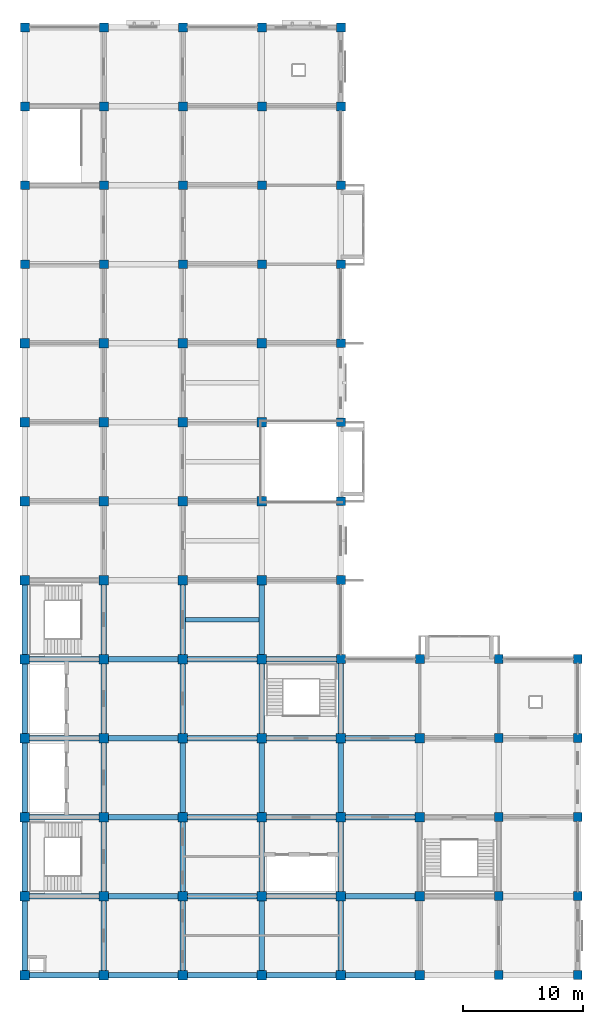
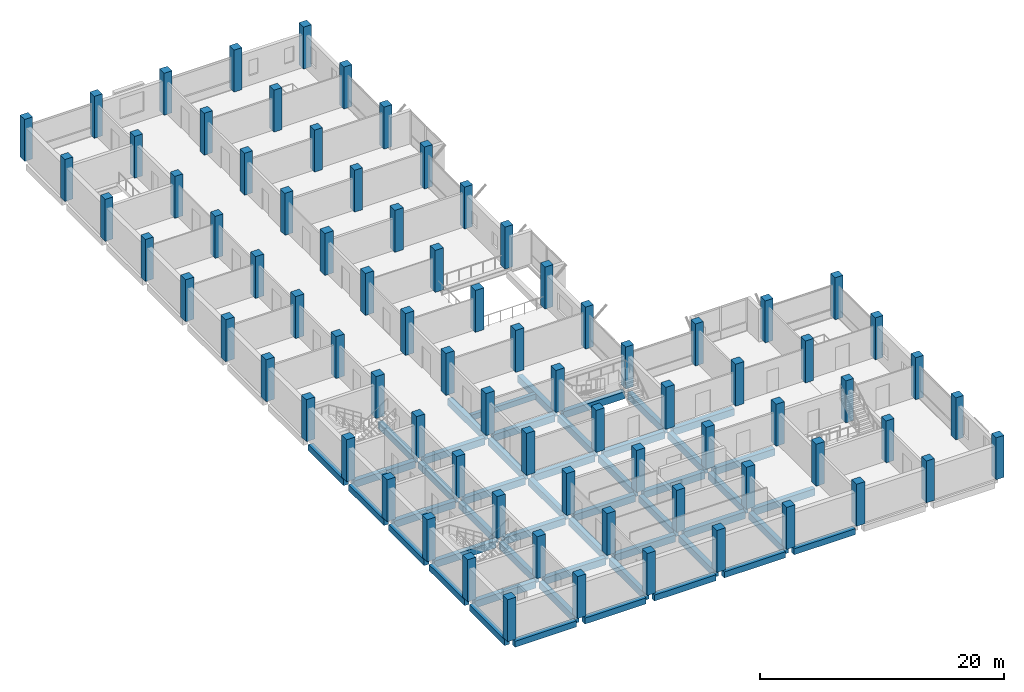
# One storey, part 1 of 14: 80 columns, 49 beams.
"""IFC4 building model written with IfcOpenShell, lengths in metres."""

from ifc_helpers import new_model, si_unit, direction, frame, origin, origin_2d, place, context, subcontext, project, spatial, rectangle, extrude, material, material_profile, profile_set, type_object, element, save


model = new_model("IFC4")

# Units and contexts
model_context = context("Model", 3, precision=1e-05, world=origin(), true_north=direction((0.0, 1.0)))
body_context = subcontext(model_context, "Body", "Model", "MODEL_VIEW")
ifc_project = project(units=[si_unit("LENGTHUNIT", "METRE"), si_unit("AREAUNIT", "SQUARE_METRE"), si_unit("VOLUMEUNIT", "CUBIC_METRE"), si_unit("PLANEANGLEUNIT", "RADIAN"), si_unit("MASSUNIT", "GRAM", prefix="KILO")], contexts=[model_context])

# Site, building, storey
site_placement = place(None, origin())
site = spatial("IfcSite", under=ifc_project, at=site_placement, CompositionType="ELEMENT")
building_placement = place(site_placement, origin())
building = spatial("IfcBuilding", under=site, at=building_placement, Name="Rusizi Kubbe Research Institute", CompositionType="ELEMENT")
storey_placement = place(building_placement, frame((0.0, 0.0, 31.199951171875)))
storey = spatial("IfcBuildingStorey", under=building, at=storey_placement, Name="L07", CompositionType="ELEMENT", Elevation=31.199951171875)

# Columns
ifc_material_1 = material(Name="Concrete C40/50", Category="concrete")
ifc_material_profile_1 = material_profile(ifc_material_1, rectangle(XDim=0.75, YDim=0.75, at=origin_2d()), Name="RC750x750")
ifc_profile_set_1 = profile_set([ifc_material_profile_1], Name="Concrete C40/50")
column_type_1 = type_object("IfcColumnType", Name="COL-750", PredefinedType="COLUMN", material=ifc_profile_set_1)
for number, where, z_axis, x_axis, name in (
    (1, (0.0, 59.39990234375, 0.0), (0.0, 0.0, 1.0), (1.0, 0.0, 0.0), "Column 1K L07"),
    (2, (0.0, 66.0, 0.0), (0.0, 0.0, 1.0), (1.0, 0.0, 0.0), "Column 1L L07"),
    (3, (0.0, 72.60009765625, 0.0), (0.0, 0.0, 1.0), (1.0, 0.0, 0.0), "Column 1M L07"),
    (4, (0.0, 79.199951171875, 0.0), (0.0, 0.0, 1.0), (1.0, 0.0, 0.0), "Column 1N L07"),
    (5, (6.60009765625, 59.39990234375, 0.0), (0.0, 0.0, 1.0), (1.0, 0.0, 0.0), "Column 2K L07"),
    (6, (6.60009765625, 66.0, 0.0), (0.0, 0.0, 1.0), (1.0, 0.0, 0.0), "Column 2L L07"),
    (7, (6.60009765625, 72.60009765625, 0.0), (0.0, 0.0, 1.0), (1.0, 0.0, 0.0), "Column 2M L07"),
    (8, (6.60009765625, 79.199951171875, 0.0), (0.0, 0.0, 1.0), (1.0, 0.0, 0.0), "Column 2N L07"),
    (9, (13.199951171875, 59.39990234375, 0.0), (0.0, 0.0, 1.0), (1.0, 0.0, 0.0), "Column 3K L07"),
    (10, (13.199951171875, 66.0, 0.0), (0.0, 0.0, 1.0), (1.0, 0.0, 0.0), "Column 3L L07"),
    (11, (13.199951171875, 72.60009765625, 0.0), (0.0, 0.0, 1.0), (1.0, 0.0, 0.0), "Column 3M L07"),
    (12, (13.199951171875, 79.199951171875, 0.0), (0.0, 0.0, 1.0), (1.0, 0.0, 0.0), "Column 3N L07"),
    (13, (19.800048828125, 59.39990234375, 0.0), (0.0, 0.0, 1.0), (1.0, 0.0, 0.0), "Column 4K L07"),
    (14, (19.800048828125, 66.0, 0.0), (0.0, 0.0, 1.0), (1.0, 0.0, 0.0), "Column 4L L07"),
    (15, (19.800048828125, 72.60009765625, 0.0), (0.0, 0.0, 1.0), (1.0, 0.0, 0.0), "Column 4M L07"),
    (16, (19.800048828125, 79.199951171875, 0.0), (0.0, 0.0, 1.0), (1.0, 0.0, 0.0), "Column 4N L07"),
    (17, (26.39990234375, 26.39990234375, 0.0), (0.0, 0.0, 1.0), (1.0, 0.0, 0.0), "Column 5E L07"),
    (18, (26.39990234375, 33.0, 0.0), (0.0, 0.0, 1.0), (1.0, 0.0, 0.0), "Column 5F L07"),
    (19, (26.39990234375, 39.60009765625, 0.0), (0.0, 0.0, 1.0), (1.0, 0.0, 0.0), "Column 5G L07"),
    (20, (26.39990234375, 46.199951171875, 0.0), (0.0, 0.0, 1.0), (1.0, 0.0, 0.0), "Column 5H L07"),
    (21, (26.39990234375, 52.800048828125, 0.0), (0.0, 0.0, 1.0), (1.0, 0.0, 0.0), "Column 5J L07"),
    (22, (26.39990234375, 59.39990234375, 0.0), (0.0, 0.0, 1.0), (1.0, 0.0, 0.0), "Column 5K L07"),
    (23, (26.39990234375, 66.0, 0.0), (0.0, 0.0, 1.0), (1.0, 0.0, 0.0), "Column 5L L07"),
    (24, (26.39990234375, 72.60009765625, 0.0), (0.0, 0.0, 1.0), (1.0, 0.0, 0.0), "Column 5M L07"),
    (25, (26.39990234375, 79.199951171875, 0.0), (0.0, 0.0, 1.0), (1.0, 0.0, 0.0), "Column 5N L07"),
    (26, (33.0, 26.39990234375, 0.0), (0.0, 0.0, 1.0), (1.0, 0.0, 0.0), "Column 6E L07"),
    (27, (39.60009765625, 0.0, 0.0), (0.0, 0.0, 1.0), (1.0, 0.0, 0.0), "Column 7A L07"),
    (28, (39.60009765625, 6.60009765625, 0.0), (0.0, 0.0, 1.0), (1.0, 0.0, 0.0), "Column 7B L07"),
    (29, (39.60009765625, 13.199951171875, 0.0), (0.0, 0.0, 1.0), (1.0, 0.0, 0.0), "Column 7C L07"),
    (30, (39.60009765625, 19.800048828125, 0.0), (0.0, 0.0, 1.0), (1.0, 0.0, 0.0), "Column 7D L07"),
    (31, (39.60009765625, 26.39990234375, 0.0), (0.0, 0.0, 1.0), (1.0, 0.0, 0.0), "Column 7E L07"),
    (32, (46.199951171875, 0.0, 0.0), (0.0, 0.0, 1.0), (1.0, 0.0, 0.0), "Column 8A L07"),
    (33, (46.199951171875, 6.60009765625, 0.0), (0.0, 0.0, 1.0), (1.0, 0.0, 0.0), "Column 8B L07"),
    (34, (46.199951171875, 13.199951171875, 0.0), (0.0, 0.0, 1.0), (1.0, 0.0, 0.0), "Column 8C L07"),
    (35, (46.199951171875, 19.800048828125, 0.0), (0.0, 0.0, 1.0), (1.0, 0.0, 0.0), "Column 8D L07"),
    (36, (46.199951171875, 26.39990234375, 0.0), (0.0, 0.0, 1.0), (1.0, 0.0, 0.0), "Column 8E L07"),
):
    element("IfcColumn", number, at=place(storey_placement, frame(where, z_axis=z_axis, x_axis=x_axis)), inside=storey, type_object=column_type_1, Name=name, PredefinedType="COLUMN", context=body_context, shape_type="SweptSolid", body=[
        extrude(rectangle(XDim=0.75, YDim=0.75, at=origin_2d()), origin(), (0.0, 0.0, 1.0), 4.199951171875),
    ])
ifc_material_2 = material(Name="Concrete C45/55", Category="concrete")
ifc_material_profile_2 = material_profile(ifc_material_2, rectangle(XDim=0.800048828125, YDim=0.800048828125, at=origin_2d()), Name="RC800x800")
ifc_profile_set_2 = profile_set([ifc_material_profile_2], Name="Concrete C45/55")
column_type_2 = type_object("IfcColumnType", Name="COL-800", PredefinedType="COLUMN", material=ifc_profile_set_2)
for number, where, z_axis, x_axis, name in (
    (37, (0.0, 0.0, 0.0), (0.0, 0.0, 1.0), (1.0, 0.0, 0.0), "Column 1A L07"),
    (38, (0.0, 6.60009765625, 0.0), (0.0, 0.0, 1.0), (1.0, 0.0, 0.0), "Column 1B L07"),
    (39, (0.0, 13.199951171875, 0.0), (0.0, 0.0, 1.0), (1.0, 0.0, 0.0), "Column 1C L07"),
    (40, (0.0, 19.800048828125, 0.0), (0.0, 0.0, 1.0), (1.0, 0.0, 0.0), "Column 1D L07"),
    (41, (0.0, 26.39990234375, 0.0), (0.0, 0.0, 1.0), (1.0, 0.0, 0.0), "Column 1E L07"),
    (42, (0.0, 33.0, 0.0), (0.0, 0.0, 1.0), (1.0, 0.0, 0.0), "Column 1F L07"),
    (43, (0.0, 39.60009765625, 0.0), (0.0, 0.0, 1.0), (1.0, 0.0, 0.0), "Column 1G L07"),
    (44, (0.0, 46.199951171875, 0.0), (0.0, 0.0, 1.0), (1.0, 0.0, 0.0), "Column 1H L07"),
    (45, (0.0, 52.800048828125, 0.0), (0.0, 0.0, 1.0), (1.0, 0.0, 0.0), "Column 1J L07"),
    (46, (6.60009765625, 0.0, 0.0), (0.0, 0.0, 1.0), (1.0, 0.0, 0.0), "Column 2A L07"),
    (47, (6.60009765625, 6.60009765625, 0.0), (0.0, 0.0, 1.0), (1.0, 0.0, 0.0), "Column 2B L07"),
    (48, (6.60009765625, 13.199951171875, 0.0), (0.0, 0.0, 1.0), (1.0, 0.0, 0.0), "Column 2C L07"),
    (49, (6.60009765625, 19.800048828125, 0.0), (0.0, 0.0, 1.0), (1.0, 0.0, 0.0), "Column 2D L07"),
    (50, (6.60009765625, 26.39990234375, 0.0), (0.0, 0.0, 1.0), (1.0, 0.0, 0.0), "Column 2E L07"),
    (51, (6.60009765625, 33.0, 0.0), (0.0, 0.0, 1.0), (1.0, 0.0, 0.0), "Column 2F L07"),
    (52, (6.60009765625, 39.60009765625, 0.0), (0.0, 0.0, 1.0), (1.0, 0.0, 0.0), "Column 2G L07"),
    (53, (6.60009765625, 46.199951171875, 0.0), (0.0, 0.0, 1.0), (1.0, 0.0, 0.0), "Column 2H L07"),
    (54, (6.60009765625, 52.800048828125, 0.0), (0.0, 0.0, 1.0), (1.0, 0.0, 0.0), "Column 2J L07"),
    (55, (13.199951171875, 0.0, 0.0), (0.0, 0.0, 1.0), (1.0, 0.0, 0.0), "Column 3A L07"),
    (56, (13.199951171875, 6.60009765625, 0.0), (0.0, 0.0, 1.0), (1.0, 0.0, 0.0), "Column 3B L07"),
    (57, (13.199951171875, 13.199951171875, 0.0), (0.0, 0.0, 1.0), (1.0, 0.0, 0.0), "Column 3C L07"),
    (58, (13.199951171875, 19.800048828125, 0.0), (0.0, 0.0, 1.0), (1.0, 0.0, 0.0), "Column 3D L07"),
    (59, (13.199951171875, 26.39990234375, 0.0), (0.0, 0.0, 1.0), (1.0, 0.0, 0.0), "Column 3E L07"),
    (60, (13.199951171875, 33.0, 0.0), (0.0, 0.0, 1.0), (1.0, 0.0, 0.0), "Column 3F L07"),
    (61, (13.199951171875, 39.60009765625, 0.0), (0.0, 0.0, 1.0), (1.0, 0.0, 0.0), "Column 3G L07"),
    (62, (13.199951171875, 46.199951171875, 0.0), (0.0, 0.0, 1.0), (1.0, 0.0, 0.0), "Column 3H L07"),
    (63, (13.199951171875, 52.800048828125, 0.0), (0.0, 0.0, 1.0), (1.0, 0.0, 0.0), "Column 3J L07"),
    (64, (19.800048828125, 0.0, 0.0), (0.0, 0.0, 1.0), (1.0, 0.0, 0.0), "Column 4A L07"),
    (65, (19.800048828125, 6.60009765625, 0.0), (0.0, 0.0, 1.0), (1.0, 0.0, 0.0), "Column 4B L07"),
    (66, (19.800048828125, 13.199951171875, 0.0), (0.0, 0.0, 1.0), (1.0, 0.0, 0.0), "Column 4C L07"),
    (67, (19.800048828125, 19.800048828125, 0.0), (0.0, 0.0, 1.0), (1.0, 0.0, 0.0), "Column 4D L07"),
    (68, (19.800048828125, 26.39990234375, 0.0), (0.0, 0.0, 1.0), (1.0, 0.0, 0.0), "Column 4E L07"),
    (69, (19.800048828125, 33.0, 0.0), (0.0, 0.0, 1.0), (1.0, 0.0, 0.0), "Column 4F L07"),
    (70, (19.800048828125, 39.60009765625, 0.0), (0.0, 0.0, 1.0), (1.0, 0.0, 0.0), "Column 4G L07"),
    (71, (19.800048828125, 46.199951171875, 0.0), (0.0, 0.0, 1.0), (1.0, 0.0, 0.0), "Column 4H L07"),
    (72, (19.800048828125, 52.800048828125, 0.0), (0.0, 0.0, 1.0), (1.0, 0.0, 0.0), "Column 4J L07"),
    (73, (26.39990234375, 0.0, 0.0), (0.0, 0.0, 1.0), (1.0, 0.0, 0.0), "Column 5A L07"),
    (74, (26.39990234375, 6.60009765625, 0.0), (0.0, 0.0, 1.0), (1.0, 0.0, 0.0), "Column 5B L07"),
    (75, (26.39990234375, 13.199951171875, 0.0), (0.0, 0.0, 1.0), (1.0, 0.0, 0.0), "Column 5C L07"),
    (76, (26.39990234375, 19.800048828125, 0.0), (0.0, 0.0, 1.0), (1.0, 0.0, 0.0), "Column 5D L07"),
    (77, (33.0, 0.0, 0.0), (0.0, 0.0, 1.0), (1.0, 0.0, 0.0), "Column 6A L07"),
    (78, (33.0, 6.60009765625, 0.0), (0.0, 0.0, 1.0), (1.0, 0.0, 0.0), "Column 6B L07"),
    (79, (33.0, 13.199951171875, 0.0), (0.0, 0.0, 1.0), (1.0, 0.0, 0.0), "Column 6C L07"),
    (80, (33.0, 19.800048828125, 0.0), (0.0, 0.0, 1.0), (1.0, 0.0, 0.0), "Column 6D L07"),
):
    element("IfcColumn", number, at=place(storey_placement, frame(where, z_axis=z_axis, x_axis=x_axis)), inside=storey, type_object=column_type_2, Name=name, PredefinedType="COLUMN", context=body_context, shape_type="SweptSolid", body=[
        extrude(rectangle(XDim=0.800048828125, YDim=0.800048828125, at=origin_2d()), origin(), (0.0, 0.0, 1.0), 4.199951171875),
    ])

# Beams
ifc_material_3 = material(Name="Concrete C40/50", Category="concrete")
ifc_material_profile_3 = material_profile(ifc_material_3, rectangle(XDim=0.35009765625, YDim=0.550048828125, at=origin_2d()), Name="RC350x550")
ifc_profile_set_3 = profile_set([ifc_material_profile_3], Name="Concrete C40/50")
beam_type_1 = type_object("IfcBeamType", Name="BM-RC350x550", PredefinedType="JOIST", material=ifc_profile_set_3)
beam_1_placement = place(storey_placement, frame((13.425048828125, 29.699951171875, -0.60498046875), z_axis=(1.0, 0.0, 0.0), x_axis=(0.0, 1.0, 0.0)))
element("IfcBeam", 81, at=beam_1_placement, inside=storey, type_object=beam_type_1, Name="Lab Stiffener Joist L07 (2,4)", PredefinedType="JOIST", context=body_context, shape_type="SweptSolid", body=[
    extrude(rectangle(XDim=0.35009765625, YDim=0.550048828125, at=origin_2d()), origin(), (0.0, 0.0, 1.0), 6.14990234375),
])
ifc_material_4 = material(Name="Concrete C40/50", Category="concrete")
ifc_material_profile_4 = material_profile(ifc_material_4, rectangle(XDim=0.449951171875, YDim=0.60009765625, at=origin_2d()), Name="RC450x600")
ifc_profile_set_4 = profile_set([ifc_material_profile_4], Name="Concrete C40/50")
beam_type_2 = type_object("IfcBeamType", Name="BM-RC450x600", PredefinedType="SPANDREL", material=ifc_profile_set_4)
for number, where, z_axis, x_axis, name in (
    (82, (0.39990234375, 0.0, -0.6298828125), (1.0, 0.0, 0.0), (0.0, 1.0, 0.0), "Grid Beam H L07 (0,0)"),
    (83, (7.0, 0.0, -0.6298828125), (1.0, 0.0, 0.0), (0.0, 1.0, 0.0), "Grid Beam H L07 (1,0)"),
):
    element("IfcBeam", number, at=place(storey_placement, frame(where, z_axis=z_axis, x_axis=x_axis)), inside=storey, type_object=beam_type_2, Name=name, PredefinedType="SPANDREL", context=body_context, shape_type="SweptSolid", body=[
        extrude(rectangle(XDim=0.449951171875, YDim=0.60009765625, at=origin_2d()), origin(), (0.0, 0.0, 1.0), 5.800048828125),
    ])
beam_2_placement = place(storey_placement, frame((13.60009765625, 0.0, -0.6298828125), z_axis=(1.0, 0.0, 0.0), x_axis=(0.0, 1.0, 0.0)))
element("IfcBeam", 84, at=beam_2_placement, inside=storey, type_object=beam_type_2, Name="Grid Beam H L07 (2,0)", PredefinedType="SPANDREL", context=body_context, shape_type="SweptSolid", body=[
    extrude(rectangle(XDim=0.449951171875, YDim=0.60009765625, at=origin_2d()), origin(), (0.0, 0.0, 1.0), 5.7998046875),
])
for number, where, z_axis, x_axis, name in (
    (85, (20.199951171875, 0.0, -0.6298828125), (1.0, 0.0, 0.0), (0.0, 1.0, 0.0), "Grid Beam H L07 (3,0)"),
    (86, (26.800048828125, 0.0, -0.6298828125), (1.0, 0.0, 0.0), (0.0, 1.0, 0.0), "Grid Beam H L07 (4,0)"),
    (87, (0.0, 0.39990234375, -0.6298828125), (0.0, 1.0, 0.0), (-1.0, 0.0, 0.0), "Grid Beam V L07 (0,0)"),
    (88, (0.0, 7.0, -0.6298828125), (0.0, 1.0, 0.0), (-1.0, 0.0, 0.0), "Grid Beam V L07 (0,1)"),
):
    element("IfcBeam", number, at=place(storey_placement, frame(where, z_axis=z_axis, x_axis=x_axis)), inside=storey, type_object=beam_type_2, Name=name, PredefinedType="SPANDREL", context=body_context, shape_type="SweptSolid", body=[
        extrude(rectangle(XDim=0.449951171875, YDim=0.60009765625, at=origin_2d()), origin(), (0.0, 0.0, 1.0), 5.800048828125),
    ])
beam_3_placement = place(storey_placement, frame((0.0, 13.60009765625, -0.6298828125), z_axis=(0.0, 1.0, 0.0), x_axis=(-1.0, 0.0, 0.0)))
element("IfcBeam", 89, at=beam_3_placement, inside=storey, type_object=beam_type_2, Name="Grid Beam V L07 (0,2)", PredefinedType="SPANDREL", context=body_context, shape_type="SweptSolid", body=[
    extrude(rectangle(XDim=0.449951171875, YDim=0.60009765625, at=origin_2d()), origin(), (0.0, 0.0, 1.0), 5.7998046875),
])
for number, where, z_axis, x_axis, name in (
    (90, (0.0, 20.199951171875, -0.6298828125), (0.0, 1.0, 0.0), (-1.0, 0.0, 0.0), "Grid Beam V L07 (0,3)"),
    (91, (0.0, 26.800048828125, -0.6298828125), (0.0, 1.0, 0.0), (-1.0, 0.0, 0.0), "Grid Beam V L07 (0,4)"),
):
    element("IfcBeam", number, at=place(storey_placement, frame(where, z_axis=z_axis, x_axis=x_axis)), inside=storey, type_object=beam_type_2, Name=name, PredefinedType="SPANDREL", context=body_context, shape_type="SweptSolid", body=[
        extrude(rectangle(XDim=0.449951171875, YDim=0.60009765625, at=origin_2d()), origin(), (0.0, 0.0, 1.0), 5.800048828125),
    ])
ifc_material_5 = material(Name="Concrete C40/50", Category="concrete")
ifc_material_profile_5 = material_profile(ifc_material_5, rectangle(XDim=0.449951171875, YDim=0.699951171875, at=origin_2d()), Name="RC450x700B")
ifc_profile_set_5 = profile_set([ifc_material_profile_5], Name="Concrete C40/50")
beam_type_3 = type_object("IfcBeamType", Name="BM-RC450x700", PredefinedType="BEAM", material=ifc_profile_set_5)
for number, where, z_axis, x_axis, name in (
    (92, (0.39990234375, 6.60009765625, -0.679931640625), (1.0, 0.0, 0.0), (0.0, 1.0, 0.0), "Grid Beam H L07 (0,1)"),
    (93, (0.39990234375, 13.199951171875, -0.679931640625), (1.0, 0.0, 0.0), (0.0, 1.0, 0.0), "Grid Beam H L07 (0,2)"),
    (94, (0.39990234375, 19.800048828125, -0.679931640625), (1.0, 0.0, 0.0), (0.0, 1.0, 0.0), "Grid Beam H L07 (0,3)"),
    (95, (0.39990234375, 26.39990234375, -0.679931640625), (1.0, 0.0, 0.0), (0.0, 1.0, 0.0), "Grid Beam H L07 (0,4)"),
    (96, (7.0, 6.60009765625, -0.679931640625), (1.0, 0.0, 0.0), (0.0, 1.0, 0.0), "Grid Beam H L07 (1,1)"),
    (97, (7.0, 13.199951171875, -0.679931640625), (1.0, 0.0, 0.0), (0.0, 1.0, 0.0), "Grid Beam H L07 (1,2)"),
    (98, (7.0, 19.800048828125, -0.679931640625), (1.0, 0.0, 0.0), (0.0, 1.0, 0.0), "Grid Beam H L07 (1,3)"),
    (99, (7.0, 26.39990234375, -0.679931640625), (1.0, 0.0, 0.0), (0.0, 1.0, 0.0), "Grid Beam H L07 (1,4)"),
):
    element("IfcBeam", number, at=place(storey_placement, frame(where, z_axis=z_axis, x_axis=x_axis)), inside=storey, type_object=beam_type_3, Name=name, PredefinedType="BEAM", context=body_context, shape_type="SweptSolid", body=[
        extrude(rectangle(XDim=0.449951171875, YDim=0.699951171875, at=origin_2d()), origin(), (0.0, 0.0, 1.0), 5.800048828125),
    ])
for number, where, z_axis, x_axis, name in (
    (100, (13.60009765625, 6.60009765625, -0.679931640625), (1.0, 0.0, 0.0), (0.0, 1.0, 0.0), "Grid Beam H L07 (2,1)"),
    (101, (13.60009765625, 13.199951171875, -0.679931640625), (1.0, 0.0, 0.0), (0.0, 1.0, 0.0), "Grid Beam H L07 (2,2)"),
    (102, (13.60009765625, 19.800048828125, -0.679931640625), (1.0, 0.0, 0.0), (0.0, 1.0, 0.0), "Grid Beam H L07 (2,3)"),
    (103, (13.60009765625, 26.39990234375, -0.679931640625), (1.0, 0.0, 0.0), (0.0, 1.0, 0.0), "Grid Beam H L07 (2,4)"),
):
    element("IfcBeam", number, at=place(storey_placement, frame(where, z_axis=z_axis, x_axis=x_axis)), inside=storey, type_object=beam_type_3, Name=name, PredefinedType="BEAM", context=body_context, shape_type="SweptSolid", body=[
        extrude(rectangle(XDim=0.449951171875, YDim=0.699951171875, at=origin_2d()), origin(), (0.0, 0.0, 1.0), 5.7998046875),
    ])
for number, where, z_axis, x_axis, name in (
    (104, (20.199951171875, 6.60009765625, -0.679931640625), (1.0, 0.0, 0.0), (0.0, 1.0, 0.0), "Grid Beam H L07 (3,1)"),
    (105, (20.199951171875, 13.199951171875, -0.679931640625), (1.0, 0.0, 0.0), (0.0, 1.0, 0.0), "Grid Beam H L07 (3,2)"),
    (106, (20.199951171875, 19.800048828125, -0.679931640625), (1.0, 0.0, 0.0), (0.0, 1.0, 0.0), "Grid Beam H L07 (3,3)"),
):
    element("IfcBeam", number, at=place(storey_placement, frame(where, z_axis=z_axis, x_axis=x_axis)), inside=storey, type_object=beam_type_3, Name=name, PredefinedType="BEAM", context=body_context, shape_type="SweptSolid", body=[
        extrude(rectangle(XDim=0.449951171875, YDim=0.699951171875, at=origin_2d()), origin(), (0.0, 0.0, 1.0), 5.800048828125),
    ])
beam_4_placement = place(storey_placement, frame((20.199951171875, 26.39990234375, -0.679931640625), z_axis=(1.0, 0.0, 0.0), x_axis=(0.0, 1.0, 0.0)))
element("IfcBeam", 107, at=beam_4_placement, inside=storey, type_object=beam_type_3, Name="Grid Beam H L07 (3,4)", PredefinedType="BEAM", context=body_context, shape_type="SweptSolid", body=[
    extrude(rectangle(XDim=0.449951171875, YDim=0.699951171875, at=origin_2d()), origin(), (0.0, 0.0, 1.0), 5.824951171875),
])
for number, where, z_axis, x_axis, name in (
    (108, (26.800048828125, 6.60009765625, -0.679931640625), (1.0, 0.0, 0.0), (0.0, 1.0, 0.0), "Grid Beam H L07 (4,1)"),
    (109, (26.800048828125, 13.199951171875, -0.679931640625), (1.0, 0.0, 0.0), (0.0, 1.0, 0.0), "Grid Beam H L07 (4,2)"),
    (110, (26.800048828125, 19.800048828125, -0.679931640625), (1.0, 0.0, 0.0), (0.0, 1.0, 0.0), "Grid Beam H L07 (4,3)"),
    (111, (6.60009765625, 0.39990234375, -0.679931640625), (0.0, 1.0, 0.0), (-1.0, 0.0, 0.0), "Grid Beam V L07 (1,0)"),
    (112, (6.60009765625, 7.0, -0.679931640625), (0.0, 1.0, 0.0), (-1.0, 0.0, 0.0), "Grid Beam V L07 (1,1)"),
):
    element("IfcBeam", number, at=place(storey_placement, frame(where, z_axis=z_axis, x_axis=x_axis)), inside=storey, type_object=beam_type_3, Name=name, PredefinedType="BEAM", context=body_context, shape_type="SweptSolid", body=[
        extrude(rectangle(XDim=0.449951171875, YDim=0.699951171875, at=origin_2d()), origin(), (0.0, 0.0, 1.0), 5.800048828125),
    ])
beam_5_placement = place(storey_placement, frame((6.60009765625, 13.60009765625, -0.679931640625), z_axis=(0.0, 1.0, 0.0), x_axis=(-1.0, 0.0, 0.0)))
element("IfcBeam", 113, at=beam_5_placement, inside=storey, type_object=beam_type_3, Name="Grid Beam V L07 (1,2)", PredefinedType="BEAM", context=body_context, shape_type="SweptSolid", body=[
    extrude(rectangle(XDim=0.449951171875, YDim=0.699951171875, at=origin_2d()), origin(), (0.0, 0.0, 1.0), 5.7998046875),
])
for number, where, z_axis, x_axis, name in (
    (114, (6.60009765625, 20.199951171875, -0.679931640625), (0.0, 1.0, 0.0), (-1.0, 0.0, 0.0), "Grid Beam V L07 (1,3)"),
    (115, (6.60009765625, 26.800048828125, -0.679931640625), (0.0, 1.0, 0.0), (-1.0, 0.0, 0.0), "Grid Beam V L07 (1,4)"),
    (116, (13.199951171875, 0.39990234375, -0.679931640625), (0.0, 1.0, 0.0), (-1.0, 0.0, 0.0), "Grid Beam V L07 (2,0)"),
    (117, (13.199951171875, 7.0, -0.679931640625), (0.0, 1.0, 0.0), (-1.0, 0.0, 0.0), "Grid Beam V L07 (2,1)"),
):
    element("IfcBeam", number, at=place(storey_placement, frame(where, z_axis=z_axis, x_axis=x_axis)), inside=storey, type_object=beam_type_3, Name=name, PredefinedType="BEAM", context=body_context, shape_type="SweptSolid", body=[
        extrude(rectangle(XDim=0.449951171875, YDim=0.699951171875, at=origin_2d()), origin(), (0.0, 0.0, 1.0), 5.800048828125),
    ])
beam_6_placement = place(storey_placement, frame((13.199951171875, 13.60009765625, -0.679931640625), z_axis=(0.0, 1.0, 0.0), x_axis=(-1.0, 0.0, 0.0)))
element("IfcBeam", 118, at=beam_6_placement, inside=storey, type_object=beam_type_3, Name="Grid Beam V L07 (2,2)", PredefinedType="BEAM", context=body_context, shape_type="SweptSolid", body=[
    extrude(rectangle(XDim=0.449951171875, YDim=0.699951171875, at=origin_2d()), origin(), (0.0, 0.0, 1.0), 5.7998046875),
])
for number, where, z_axis, x_axis, name in (
    (119, (13.199951171875, 20.199951171875, -0.679931640625), (0.0, 1.0, 0.0), (-1.0, 0.0, 0.0), "Grid Beam V L07 (2,3)"),
    (120, (13.199951171875, 26.800048828125, -0.679931640625), (0.0, 1.0, 0.0), (-1.0, 0.0, 0.0), "Grid Beam V L07 (2,4)"),
    (121, (19.800048828125, 0.39990234375, -0.679931640625), (0.0, 1.0, 0.0), (-1.0, 0.0, 0.0), "Grid Beam V L07 (3,0)"),
    (122, (19.800048828125, 7.0, -0.679931640625), (0.0, 1.0, 0.0), (-1.0, 0.0, 0.0), "Grid Beam V L07 (3,1)"),
):
    element("IfcBeam", number, at=place(storey_placement, frame(where, z_axis=z_axis, x_axis=x_axis)), inside=storey, type_object=beam_type_3, Name=name, PredefinedType="BEAM", context=body_context, shape_type="SweptSolid", body=[
        extrude(rectangle(XDim=0.449951171875, YDim=0.699951171875, at=origin_2d()), origin(), (0.0, 0.0, 1.0), 5.800048828125),
    ])
beam_7_placement = place(storey_placement, frame((19.800048828125, 13.60009765625, -0.679931640625), z_axis=(0.0, 1.0, 0.0), x_axis=(-1.0, 0.0, 0.0)))
element("IfcBeam", 123, at=beam_7_placement, inside=storey, type_object=beam_type_3, Name="Grid Beam V L07 (3,2)", PredefinedType="BEAM", context=body_context, shape_type="SweptSolid", body=[
    extrude(rectangle(XDim=0.449951171875, YDim=0.699951171875, at=origin_2d()), origin(), (0.0, 0.0, 1.0), 5.7998046875),
])
for number, where, z_axis, x_axis, name in (
    (124, (19.800048828125, 20.199951171875, -0.679931640625), (0.0, 1.0, 0.0), (-1.0, 0.0, 0.0), "Grid Beam V L07 (3,3)"),
    (125, (19.800048828125, 26.800048828125, -0.679931640625), (0.0, 1.0, 0.0), (-1.0, 0.0, 0.0), "Grid Beam V L07 (3,4)"),
    (126, (26.39990234375, 0.39990234375, -0.679931640625), (0.0, 1.0, 0.0), (-1.0, 0.0, 0.0), "Grid Beam V L07 (4,0)"),
    (127, (26.39990234375, 7.0, -0.679931640625), (0.0, 1.0, 0.0), (-1.0, 0.0, 0.0), "Grid Beam V L07 (4,1)"),
):
    element("IfcBeam", number, at=place(storey_placement, frame(where, z_axis=z_axis, x_axis=x_axis)), inside=storey, type_object=beam_type_3, Name=name, PredefinedType="BEAM", context=body_context, shape_type="SweptSolid", body=[
        extrude(rectangle(XDim=0.449951171875, YDim=0.699951171875, at=origin_2d()), origin(), (0.0, 0.0, 1.0), 5.800048828125),
    ])
beam_8_placement = place(storey_placement, frame((26.39990234375, 13.60009765625, -0.679931640625), z_axis=(0.0, 1.0, 0.0), x_axis=(-1.0, 0.0, 0.0)))
element("IfcBeam", 128, at=beam_8_placement, inside=storey, type_object=beam_type_3, Name="Grid Beam V L07 (4,2)", PredefinedType="BEAM", context=body_context, shape_type="SweptSolid", body=[
    extrude(rectangle(XDim=0.449951171875, YDim=0.699951171875, at=origin_2d()), origin(), (0.0, 0.0, 1.0), 5.7998046875),
])
beam_9_placement = place(storey_placement, frame((26.39990234375, 20.199951171875, -0.679931640625), z_axis=(0.0, 1.0, 0.0), x_axis=(-1.0, 0.0, 0.0)))
element("IfcBeam", 129, at=beam_9_placement, inside=storey, type_object=beam_type_3, Name="Grid Beam V L07 (4,3)", PredefinedType="BEAM", context=body_context, shape_type="SweptSolid", body=[
    extrude(rectangle(XDim=0.449951171875, YDim=0.699951171875, at=origin_2d()), origin(), (0.0, 0.0, 1.0), 5.824951171875),
])

save(model, "model.ifc")
